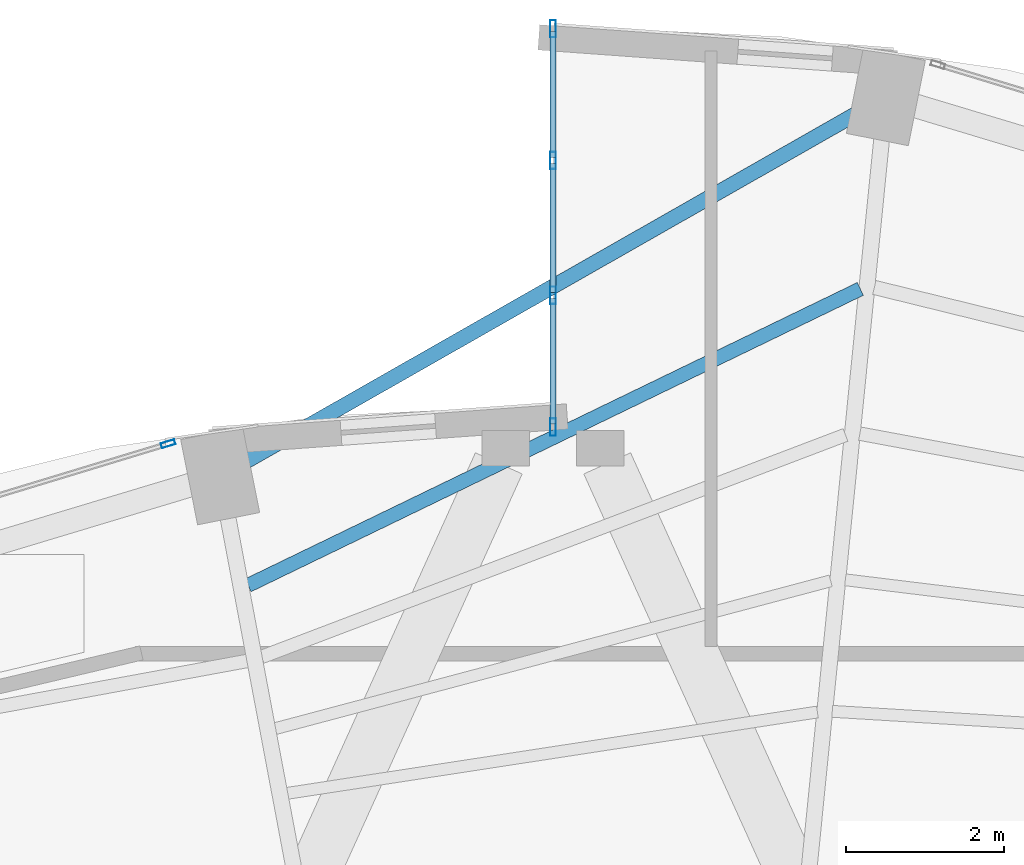
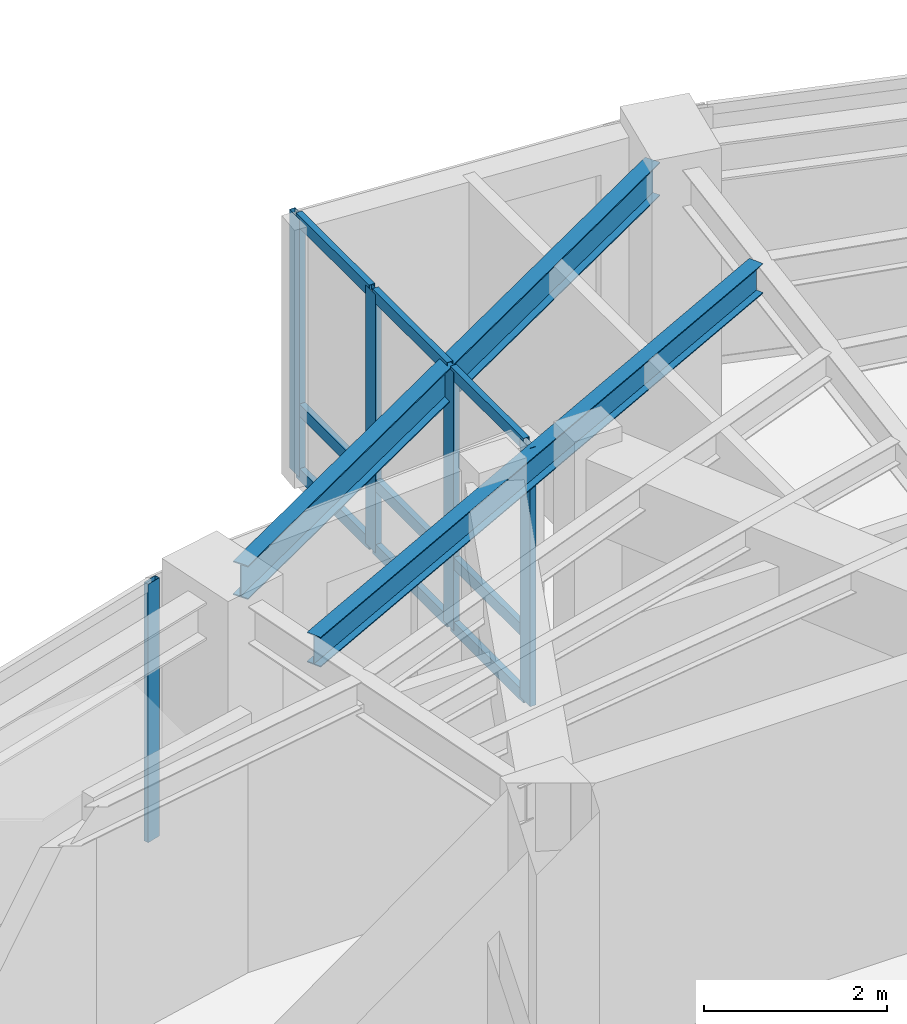
# One storey, part 16 of 22: 14 members, 2 beams, 2 elements without a shape of their own.
"""IFC4 building model written with IfcOpenShell, lengths in metres."""

import ifcopenshell
import ifcopenshell.guid

model = None  # the IFC model being written
_history = None  # IfcOwnerHistory: only IFC2X3 demands one
_inside = {}  # id of a spatial element -> (the spatial element, [elements in it])
_under = {}  # id of a project, library or spatial element -> (it, [spatial elements below it])
_declared = {}  # id of a project -> (the project, [libraries it declares])
_typed = {}  # id of a type object -> (the type object, [elements of that type])
_made_of = {}  # id of a material, layer set ... -> (it, [elements and type objects made of it])


def new_model(schema):
    """Start an empty IFC model of exactly this schema.

    Asked for "IFC4X3", IfcOpenShell would pick the latest addendum, in which some entities
    have other attributes; the version numbers below select the first issue.
    IFC2X3 requires an IfcOwnerHistory on every rooted entity: one is made here for all.
    """
    global model, _history
    if schema == "IFC4X3":
        model = ifcopenshell.file(schema_version=(4, 3, 0, 0))
    else:
        model = ifcopenshell.file(schema=schema)
    _inside.clear()
    _under.clear()
    _declared.clear()
    _typed.clear()
    _made_of.clear()
    _history = None
    if model.schema == "IFC2X3":
        org = make("IfcOrganization", Name="unknown")
        user = make(
            "IfcPersonAndOrganization",
            ThePerson=make("IfcPerson", FamilyName="unknown"),
            TheOrganization=org,
        )
        app = make(
            "IfcApplication",
            ApplicationDeveloper=org,
            Version="unknown",
            ApplicationFullName="unknown",
            ApplicationIdentifier="unknown",
        )
        _history = make(
            "IfcOwnerHistory",
            OwningUser=user,
            OwningApplication=app,
            ChangeAction="ADDED",
            CreationDate=0,
        )
    return model


def make(cls, **values):
    """One entity of the class cls with the attributes given. An attribute that is None is left unset."""
    return model.create_entity(
        cls, **{name: value for name, value in values.items() if value is not None}
    )


def rooted(cls, **values):
    """An entity with a GlobalId (a new one), such as an element, a storey or a relation."""
    return make(cls, GlobalId=ifcopenshell.guid.new(), OwnerHistory=_history, **values)


def si_unit(unit_type, name, prefix=None):
    """IfcSIUnit, for example si_unit("LENGTHUNIT", "METRE", prefix="MILLI")."""
    return make("IfcSIUnit", UnitType=unit_type, Prefix=prefix, Name=name)


def assignment(units):
    """IfcUnitAssignment: the units of a project."""
    return None if units is None else make("IfcUnitAssignment", Units=units)


def point(xyz):
    """IfcCartesianPoint."""
    return None if xyz is None else make("IfcCartesianPoint", Coordinates=xyz)


def direction(xyz):
    """IfcDirection."""
    return None if xyz is None else make("IfcDirection", DirectionRatios=xyz)


def frame(location, z_axis=None, x_axis=None):
    """IfcAxis2Placement3D, a coordinate frame: its origin and axes. An axis left out is left unset."""
    return make(
        "IfcAxis2Placement3D",
        Location=point(location),
        Axis=direction(z_axis),
        RefDirection=direction(x_axis),
    )


def frame_2d(location, x_axis=None):
    """IfcAxis2Placement2D, a coordinate frame in the plane: its origin and x axis."""
    return make(
        "IfcAxis2Placement2D", Location=point(location), RefDirection=direction(x_axis)
    )


def origin():
    """The frame at (0, 0, 0) with its axes left unset."""
    return frame((0.0, 0.0, 0.0))


def origin_2d():
    """The frame at (0, 0) in the plane with its x axis left unset."""
    return frame_2d((0.0, 0.0))


def place(relative_to, where):
    """IfcLocalPlacement: puts the frame where relative to a parent placement (None: the world)."""
    return make(
        "IfcLocalPlacement", PlacementRelTo=relative_to, RelativePlacement=where
    )


def context(
    kind, dimensions, precision=None, world=None, true_north=None, identifier=None
):
    """IfcGeometricRepresentationContext, for example the 3D "Model" context."""
    return make(
        "IfcGeometricRepresentationContext",
        ContextIdentifier=identifier,
        ContextType=kind,
        CoordinateSpaceDimension=dimensions,
        Precision=precision,
        WorldCoordinateSystem=world,
        TrueNorth=true_north,
    )


def subcontext(parent, identifier, kind, view, scale=None):
    """IfcGeometricRepresentationSubContext, for example "Body" below "Model"."""
    return make(
        "IfcGeometricRepresentationSubContext",
        ContextIdentifier=identifier,
        ContextType=kind,
        ParentContext=parent,
        TargetScale=scale,
        TargetView=view,
    )


def project(units=None, contexts=None):
    """IfcProject with its units and contexts."""
    return rooted(
        "IfcProject",
        Name="project",
        RepresentationContexts=contexts,
        UnitsInContext=assignment(units),
    )


def spatial(cls, under=None, at=None, **own):
    """A site, building, storey or space (cls), placed at a placement, below another one or the project."""
    s = rooted(cls, ObjectPlacement=at, **own)
    if under is not None:
        _under.setdefault(under.id(), (under, []))[1].append(s)
    return s


def profile(cls, at=None, kind="AREA", **sizes):
    """A parametric profile (cls). Its sizes go by their IFC names, for example OverallWidth=200.0."""
    return make(cls, ProfileType=kind, Position=at, **sizes)


def hollow_rectangle(**sizes):
    """IfcRectangleHollowProfileDef."""
    return profile("IfcRectangleHollowProfileDef", **sizes)


def i_section(**sizes):
    """IfcIShapeProfileDef."""
    return profile("IfcIShapeProfileDef", **sizes)


def extrude(swept, where, along, depth):
    """IfcExtrudedAreaSolid: the profile swept, set in the frame where, extruded along a direction by depth."""
    return make(
        "IfcExtrudedAreaSolid",
        SweptArea=swept,
        Position=where,
        ExtrudedDirection=direction(along),
        Depth=depth,
    )


def shape(context_of_items, identifier, shape_type, items):
    """IfcShapeRepresentation: the items that make up one representation, for example the "Body"."""
    return make(
        "IfcShapeRepresentation",
        ContextOfItems=context_of_items,
        RepresentationIdentifier=identifier,
        RepresentationType=shape_type,
        Items=items,
    )


def material(Name=None, Category=None):
    """IfcMaterial."""
    return make("IfcMaterial", Name=Name, Category=Category)


def layer(
    of_material, thickness, ventilated=None, Name=None, Category=None, Priority=None
):
    """IfcMaterialLayer: one layer of a wall or slab, of a material (None: an air gap)."""
    return make(
        "IfcMaterialLayer",
        Material=of_material,
        LayerThickness=thickness,
        IsVentilated=ventilated,
        Name=Name,
        Category=Category,
        Priority=Priority,
    )


def layer_set(layers, Name=None):
    """IfcMaterialLayerSet."""
    return make("IfcMaterialLayerSet", MaterialLayers=layers, LayerSetName=Name)


def material_profile(
    of_material, cross_section, Name=None, Category=None, Priority=None
):
    """IfcMaterialProfile: a cross section and its material."""
    return make(
        "IfcMaterialProfile",
        Name=Name,
        Material=of_material,
        Profile=cross_section,
        Priority=Priority,
        Category=Category,
    )


def profile_set(profiles, Name=None, composite=None):
    """IfcMaterialProfileSet."""
    return make(
        "IfcMaterialProfileSet",
        Name=Name,
        MaterialProfiles=profiles,
        CompositeProfile=composite,
    )


def made_of(thing, what):
    """Note that an element or type object is made of a material, layer set ...; save() writes the relation."""
    if what is not None:
        _made_of.setdefault(what.id(), (what, []))[1].append(thing)
    return thing


def type_object(cls, material=None, **own):
    """A type object (cls), such as IfcWallType, which elements share."""
    return made_of(rooted(cls, **own), material)


def element(
    cls,
    number,
    at=None,
    inside=None,
    cuts=None,
    type_object=None,
    material=None,
    context=None,
    identifier="Body",
    shape_type=None,
    held_by="IfcProductDefinitionShape",
    body=None,
    shapes=None,
    **own,
):
    """One element of the class cls, such as IfcWall. Its Tag is "e" and its number.

    at: its placement. inside: the storey or other place that contains it. cuts: it is an
    opening in that element (IfcRelVoidsElement). A single representation is given by context,
    identifier, shape_type and body (its items); several are given by shapes. held_by: the class
    of the entity that holds the representations. save() writes the other relations.
    """
    e = rooted(cls, Tag="e%d" % number, ObjectPlacement=at, **own)
    if body is not None:
        shapes = [shape(context, identifier, shape_type, body)]
    if shapes is not None:
        e.Representation = make(held_by, Representations=shapes)
    if inside is not None:
        _inside.setdefault(inside.id(), (inside, []))[1].append(e)
    if cuts is not None:
        rooted(
            "IfcRelVoidsElement", RelatingBuildingElement=cuts, RelatedOpeningElement=e
        )
    if type_object is not None:
        _typed.setdefault(type_object.id(), (type_object, []))[1].append(e)
    return made_of(e, material)


def aggregate(whole, parts):
    """IfcRelAggregates: a whole, such as a stair, and the parts it consists of."""
    return rooted("IfcRelAggregates", RelatingObject=whole, RelatedObjects=parts)


def save(model, path):
    """Write the relations noted so far, then the file.

    IfcRelAggregates (storeys below a building ...), IfcRelContainedInSpatialStructure (elements
    in a storey), IfcRelDefinesByType, IfcRelAssociatesMaterial and IfcRelDeclares: one each for
    every whole, place, type object, material and project.
    """
    for whole, parts in _under.values():
        aggregate(whole, parts)
    for where, things in _inside.values():
        rooted(
            "IfcRelContainedInSpatialStructure",
            RelatedElements=things,
            RelatingStructure=where,
        )
    for kind, things in _typed.values():
        rooted("IfcRelDefinesByType", RelatedObjects=things, RelatingType=kind)
    for what, things in _made_of.values():
        rooted("IfcRelAssociatesMaterial", RelatedObjects=things, RelatingMaterial=what)
    for by, libraries in _declared.values():
        rooted("IfcRelDeclares", RelatingContext=by, RelatedDefinitions=libraries)
    model.write(path)


model = new_model("IFC4")

# Units and contexts
model_context = context("Model", 3, precision=1e-05, world=origin(), true_north=direction((0.0, 1.0)))
body_context = subcontext(model_context, "Body", "Model", "MODEL_VIEW")
ifc_project = project(units=[si_unit("LENGTHUNIT", "METRE"), si_unit("AREAUNIT", "SQUARE_METRE"), si_unit("VOLUMEUNIT", "CUBIC_METRE"), si_unit("PLANEANGLEUNIT", "RADIAN"), si_unit("MASSUNIT", "GRAM", prefix="KILO")], contexts=[model_context])

# Site, building, storey
site_placement = place(None, origin())
site = spatial("IfcSite", under=ifc_project, at=site_placement, CompositionType="ELEMENT")
building_placement = place(site_placement, origin())
building = spatial("IfcBuilding", under=site, at=building_placement, Name="Lazwardi Medical Tower", CompositionType="ELEMENT")
storey_placement = place(building_placement, frame((0.0, 0.0, 255.02392578125)))
storey = spatial("IfcBuildingStorey", under=building, at=storey_placement, Name="L66", CompositionType="ELEMENT", Elevation=255.02392578125)

# Beams
ifc_material_1 = material(Name="Steel S355", Category="steel")
ifc_material_profile_1 = material_profile(ifc_material_1, i_section(OverallWidth=0.179931640625, OverallDepth=0.39990234375, WebThickness=0.008544921875, FlangeThickness=0.013427734375, at=origin_2d()), Name="IPE 400")
ifc_profile_set_1 = profile_set([ifc_material_profile_1], Name="Steel S355")
beam_type_1 = type_object("IfcBeamType", Name="BM-SJ-01", PredefinedType="JOIST", material=ifc_profile_set_1)
beam_1_placement = place(storey_placement, frame((39.89111328125, 43.367919921875, 3.248046875), z_axis=(-0.900068885459, -0.435747635024, 0.0), x_axis=(0.435747635024, -0.900068885459, 0.0)))
element("IfcBeam", 1, at=beam_1_placement, inside=storey, type_object=beam_type_1, Name="Secondary joist SJ-01 R1 B08 L66", PredefinedType="JOIST", context=body_context, shape_type="SweptSolid", body=[
    extrude(i_section(OverallWidth=0.179931640625, OverallDepth=0.39990234375, WebThickness=0.008544921875, FlangeThickness=0.013427734375, at=origin_2d()), origin(), (0.0, 0.0, 1.0), 8.612548828125),
])
ifc_material_profile_2 = material_profile(ifc_material_1, i_section(OverallWidth=0.18994140625, OverallDepth=0.449951171875, WebThickness=0.009521484375, FlangeThickness=0.0146484375, at=origin_2d()), Name="IPE 450")
ifc_profile_set_2 = profile_set([ifc_material_profile_2], Name="Steel S355")
beam_type_2 = type_object("IfcBeamType", Name="BM-SP-01", PredefinedType="SPANDREL", material=ifc_profile_set_2)
beam_2_placement = place(storey_placement, frame((39.875, 45.605224609375, 3.22314453125), z_axis=(-0.868954808466, -0.494891443494, 0.0), x_axis=(0.494891443494, -0.868954808466, 0.0)))
element("IfcBeam", 2, at=beam_2_placement, inside=storey, type_object=beam_type_2, Name="Spandrel beam SP-01 B08 L66", PredefinedType="SPANDREL", context=body_context, shape_type="SweptSolid", body=[
    extrude(i_section(OverallWidth=0.18994140625, OverallDepth=0.449951171875, WebThickness=0.009521484375, FlangeThickness=0.0146484375, at=origin_2d()), origin(), (0.0, 0.0, 1.0), 8.918701171875),
])

# Curtain wall, members
ifc_material_2 = material(Name="Anodised bronze aluminium and solar control glazing", Category="aluminium")
ifc_layer_1 = layer(ifc_material_2, 0.2099609375)
ifc_layer_set_1 = layer_set([ifc_layer_1], Name="Anodised bronze aluminium and solar control glazing")
curtain_wall_type_1 = type_object("IfcCurtainWallType", Name="CW-SYS-06", PredefinedType="NOTDEFINED", material=ifc_layer_set_1)
curtain_wall_1_placement = place(storey_placement, origin())
curtain_wall_1 = element("IfcCurtainWall", 3, at=curtain_wall_1_placement, inside=storey, type_object=curtain_wall_type_1, Name="L66 Unitised bronze curtain wall CW-06", PredefinedType="NOTDEFINED")
ifc_material_3 = material(Name="Anodised bronze aluminium", Category="aluminium")
ifc_material_profile_3 = material_profile(ifc_material_3, hollow_rectangle(XDim=0.074951171875, YDim=0.219970703125, WallThickness=0.00390625, at=origin_2d()), Name="ALU-MULLION 220x75x4")
ifc_profile_set_3 = profile_set([ifc_material_profile_3], Name="Anodised bronze aluminium")
member_type_1 = type_object("IfcMemberType", Name="CW-MUL-01", PredefinedType="MULLION", material=ifc_profile_set_3)
member_1_placement = place(storey_placement, frame((36.0, 46.66259765625, 0.0), z_axis=(0.0, 0.0, 1.0), x_axis=(1.0, 0.0, 0.0)))
member_1 = element("IfcMember", 4, at=member_1_placement, type_object=member_type_1, Name="CW-06 mullion 1", PredefinedType="MULLION", context=body_context, shape_type="SweptSolid", body=[
    extrude(hollow_rectangle(XDim=0.074951171875, YDim=0.219970703125, WallThickness=0.00390625, at=origin_2d()), origin(), (0.0, 0.0, 1.0), 3.447998046875),
])
member_2_placement = place(storey_placement, frame((36.0, 44.993408203125, 0.0), z_axis=(0.0, 0.0, 1.0), x_axis=(1.0, 0.0, 0.0)))
member_2 = element("IfcMember", 5, at=member_2_placement, type_object=member_type_1, Name="CW-06 mullion 2", PredefinedType="MULLION", context=body_context, shape_type="SweptSolid", body=[
    extrude(hollow_rectangle(XDim=0.074951171875, YDim=0.219970703125, WallThickness=0.00390625, at=origin_2d()), origin(), (0.0, 0.0, 1.0), 3.447998046875),
])
member_3_placement = place(storey_placement, frame((36.0, 43.28662109375, 0.0), z_axis=(0.0, 0.0, 1.0), x_axis=(1.0, 0.0, 0.0)))
member_3 = element("IfcMember", 6, at=member_3_placement, type_object=member_type_1, Name="CW-06 mullion 3", PredefinedType="MULLION", context=body_context, shape_type="SweptSolid", body=[
    extrude(hollow_rectangle(XDim=0.074951171875, YDim=0.219970703125, WallThickness=0.00390625, at=origin_2d()), origin(), (0.0, 0.0, 1.0), 3.447998046875),
])
member_4_placement = place(storey_placement, frame((36.0, 41.617431640625, 0.0), z_axis=(0.0, 0.0, 1.0), x_axis=(1.0, 0.0, 0.0)))
member_4 = element("IfcMember", 7, at=member_4_placement, type_object=member_type_1, Name="CW-06 mullion 4", PredefinedType="MULLION", context=body_context, shape_type="SweptSolid", body=[
    extrude(hollow_rectangle(XDim=0.074951171875, YDim=0.219970703125, WallThickness=0.00390625, at=origin_2d()), origin(), (0.0, 0.0, 1.0), 3.447998046875),
])

# Curtain wall, member
ifc_layer_2 = layer(ifc_material_2, 0.18994140625)
ifc_layer_set_2 = layer_set([ifc_layer_2], Name="Anodised bronze aluminium and solar control glazing")
curtain_wall_type_2 = type_object("IfcCurtainWallType", Name="CW-SYS-04", PredefinedType="NOTDEFINED", material=ifc_layer_set_2)
curtain_wall_2_placement = place(storey_placement, origin())
curtain_wall_2 = element("IfcCurtainWall", 8, at=curtain_wall_2_placement, inside=storey, type_object=curtain_wall_type_2, Name="L66 Unitised bronze curtain wall CW-04", PredefinedType="NOTDEFINED")
ifc_material_profile_4 = material_profile(ifc_material_3, hollow_rectangle(XDim=0.06494140625, YDim=0.179931640625, WallThickness=0.00390625, at=origin_2d()), Name="ALU-MULLION 180x65x4")
ifc_profile_set_4 = profile_set([ifc_material_profile_4], Name="Anodised bronze aluminium")
member_type_2 = type_object("IfcMemberType", Name="CW-MUL-03", PredefinedType="MULLION", material=ifc_profile_set_4)
member_5_placement = place(storey_placement, frame((31.126953125, 41.406982421875, 0.0), z_axis=(0.0, 0.0, 1.0), x_axis=(0.290581889515, -0.956850126972, 0.0)))
member_5 = element("IfcMember", 9, at=member_5_placement, type_object=member_type_2, Name="CW-04 mullion 1", PredefinedType="MULLION", context=body_context, shape_type="SweptSolid", body=[
    extrude(hollow_rectangle(XDim=0.06494140625, YDim=0.179931640625, WallThickness=0.00390625, at=origin_2d()), origin(), (0.0, 0.0, 1.0), 3.447998046875),
])
aggregate(curtain_wall_2, [member_5])

# Member
ifc_material_profile_5 = material_profile(ifc_material_3, hollow_rectangle(XDim=0.074951171875, YDim=0.159912109375, WallThickness=0.00390625, at=origin_2d()), Name="ALU-TRANSOM 160x75x4")
ifc_profile_set_5 = profile_set([ifc_material_profile_5], Name="Anodised bronze aluminium")
member_type_3 = type_object("IfcMemberType", Name="CW-TRN-01", PredefinedType="USERDEFINED", material=ifc_profile_set_5)
member_6_placement = place(storey_placement, frame((36.0, 46.625, 0.03759765625), z_axis=(0.0, -1.0, 0.0), x_axis=(1.0, 0.0, 0.0)))
member_6 = element("IfcMember", 10, at=member_6_placement, type_object=member_type_3, Name="CW-06 transom 1.1", ObjectType="TRANSOM", PredefinedType="USERDEFINED", context=body_context, shape_type="SweptSolid", body=[
    extrude(hollow_rectangle(XDim=0.074951171875, YDim=0.159912109375, WallThickness=0.00390625, at=origin_2d()), origin(), (0.0, 0.0, 1.0), 1.59423828125),
])

member_7_placement = place(storey_placement, frame((36.0, 46.625, 0.900146484375), z_axis=(0.0, -1.0, 0.0), x_axis=(1.0, 0.0, 0.0)))
member_7 = element("IfcMember", 11, at=member_7_placement, type_object=member_type_3, Name="CW-06 transom 1.2", ObjectType="TRANSOM", PredefinedType="USERDEFINED", context=body_context, shape_type="SweptSolid", body=[
    extrude(hollow_rectangle(XDim=0.074951171875, YDim=0.159912109375, WallThickness=0.00390625, at=origin_2d()), origin(), (0.0, 0.0, 1.0), 1.59423828125),
])

member_8_placement = place(storey_placement, frame((36.0, 46.625, 3.41064453125), z_axis=(0.0, -1.0, 0.0), x_axis=(1.0, 0.0, 0.0)))
member_8 = element("IfcMember", 12, at=member_8_placement, type_object=member_type_3, Name="CW-06 transom 1.3", ObjectType="TRANSOM", PredefinedType="USERDEFINED", context=body_context, shape_type="SweptSolid", body=[
    extrude(hollow_rectangle(XDim=0.074951171875, YDim=0.159912109375, WallThickness=0.00390625, at=origin_2d()), origin(), (0.0, 0.0, 1.0), 1.59423828125),
])

member_9_placement = place(storey_placement, frame((36.0, 44.955810546875, 0.03759765625), z_axis=(0.0, -1.0, 0.0), x_axis=(1.0, 0.0, 0.0)))
member_9 = element("IfcMember", 13, at=member_9_placement, type_object=member_type_3, Name="CW-06 transom 2.1", ObjectType="TRANSOM", PredefinedType="USERDEFINED", context=body_context, shape_type="SweptSolid", body=[
    extrude(hollow_rectangle(XDim=0.074951171875, YDim=0.159912109375, WallThickness=0.00390625, at=origin_2d()), origin(), (0.0, 0.0, 1.0), 1.631591796875),
])

member_10_placement = place(storey_placement, frame((36.0, 44.955810546875, 0.900146484375), z_axis=(0.0, -1.0, 0.0), x_axis=(1.0, 0.0, 0.0)))
member_10 = element("IfcMember", 14, at=member_10_placement, type_object=member_type_3, Name="CW-06 transom 2.2", ObjectType="TRANSOM", PredefinedType="USERDEFINED", context=body_context, shape_type="SweptSolid", body=[
    extrude(hollow_rectangle(XDim=0.074951171875, YDim=0.159912109375, WallThickness=0.00390625, at=origin_2d()), origin(), (0.0, 0.0, 1.0), 1.631591796875),
])

member_11_placement = place(storey_placement, frame((36.0, 44.955810546875, 3.41064453125), z_axis=(0.0, -1.0, 0.0), x_axis=(1.0, 0.0, 0.0)))
member_11 = element("IfcMember", 15, at=member_11_placement, type_object=member_type_3, Name="CW-06 transom 2.3", ObjectType="TRANSOM", PredefinedType="USERDEFINED", context=body_context, shape_type="SweptSolid", body=[
    extrude(hollow_rectangle(XDim=0.074951171875, YDim=0.159912109375, WallThickness=0.00390625, at=origin_2d()), origin(), (0.0, 0.0, 1.0), 1.631591796875),
])

member_12_placement = place(storey_placement, frame((36.0, 43.249267578125, 0.03759765625), z_axis=(0.0, -1.0, 0.0), x_axis=(1.0, 0.0, 0.0)))
member_12 = element("IfcMember", 16, at=member_12_placement, type_object=member_type_3, Name="CW-06 transom 3.1", ObjectType="TRANSOM", PredefinedType="USERDEFINED", context=body_context, shape_type="SweptSolid", body=[
    extrude(hollow_rectangle(XDim=0.074951171875, YDim=0.159912109375, WallThickness=0.00390625, at=origin_2d()), origin(), (0.0, 0.0, 1.0), 1.59423828125),
])

member_13_placement = place(storey_placement, frame((36.0, 43.249267578125, 0.900146484375), z_axis=(0.0, -1.0, 0.0), x_axis=(1.0, 0.0, 0.0)))
member_13 = element("IfcMember", 17, at=member_13_placement, type_object=member_type_3, Name="CW-06 transom 3.2", ObjectType="TRANSOM", PredefinedType="USERDEFINED", context=body_context, shape_type="SweptSolid", body=[
    extrude(hollow_rectangle(XDim=0.074951171875, YDim=0.159912109375, WallThickness=0.00390625, at=origin_2d()), origin(), (0.0, 0.0, 1.0), 1.59423828125),
])

member_14_placement = place(storey_placement, frame((36.0, 43.249267578125, 3.41064453125), z_axis=(0.0, -1.0, 0.0), x_axis=(1.0, 0.0, 0.0)))
member_14 = element("IfcMember", 18, at=member_14_placement, type_object=member_type_3, Name="CW-06 transom 3.3", ObjectType="TRANSOM", PredefinedType="USERDEFINED", context=body_context, shape_type="SweptSolid", body=[
    extrude(hollow_rectangle(XDim=0.074951171875, YDim=0.159912109375, WallThickness=0.00390625, at=origin_2d()), origin(), (0.0, 0.0, 1.0), 1.59423828125),
])

aggregate(curtain_wall_1, [member_1, member_2, member_3, member_4, member_6, member_7, member_8, member_9, member_10, member_11, member_12, member_13, member_14])

save(model, "model.ifc")
